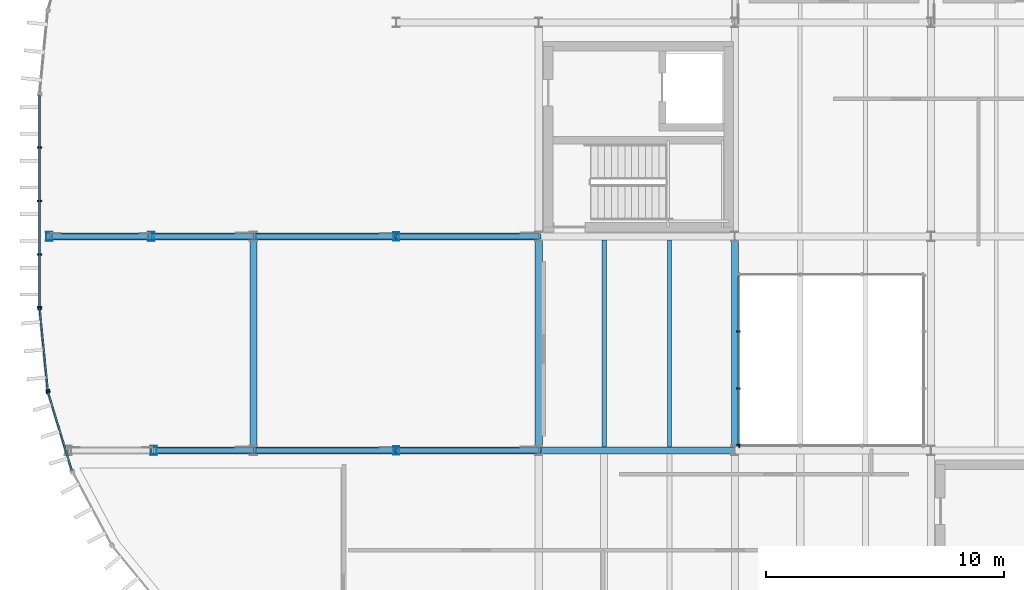
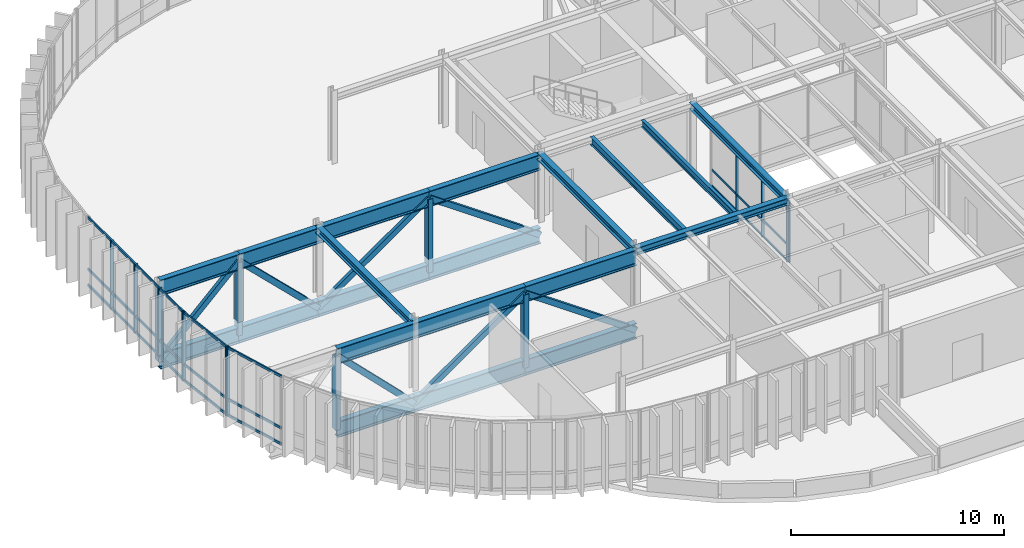
# One storey, part 6 of 29: 35 members, 20 beams, 5 elements without a shape of their own.
"""IFC4 building model written with IfcOpenShell, lengths in metres."""

from ifc_helpers import new_model, si_unit, direction, frame, origin, origin_2d, place, context, subcontext, project, spatial, rectangle, hollow_rectangle, i_section, extrude, material, layer, layer_set, material_profile, profile_set, type_object, element, aggregate, save


model = new_model("IFC4")

# Units and contexts
model_context = context("Model", 3, precision=1e-05, world=origin(), true_north=direction((0.0, 1.0)))
body_context = subcontext(model_context, "Body", "Model", "MODEL_VIEW")
ifc_project = project(units=[si_unit("LENGTHUNIT", "METRE"), si_unit("AREAUNIT", "SQUARE_METRE"), si_unit("VOLUMEUNIT", "CUBIC_METRE"), si_unit("PLANEANGLEUNIT", "RADIAN"), si_unit("MASSUNIT", "GRAM", prefix="KILO")], contexts=[model_context])

# Site, building, storey
site_placement = place(None, origin())
site = spatial("IfcSite", under=ifc_project, at=site_placement, CompositionType="ELEMENT")
building_placement = place(site_placement, origin())
building = spatial("IfcBuilding", under=site, at=building_placement, Name="Montealbar Specialist Clinic", CompositionType="ELEMENT")
storey_placement = place(building_placement, frame((0.0, 0.0, 22.199951171875)))
storey = spatial("IfcBuildingStorey", under=building, at=storey_placement, Name="L05", CompositionType="ELEMENT", Elevation=22.199951171875)

# Beams
ifc_material_1 = material(Name="Steel S355", Category="steel")
ifc_material_profile_1 = material_profile(ifc_material_1, i_section(OverallWidth=0.300048828125, OverallDepth=0.39990234375, WebThickness=0.013427734375, FlangeThickness=0.02392578125, FilletRadius=0.027099609375, at=origin_2d()), Name="HEB 400", Category="steel")
ifc_profile_set_1 = profile_set([ifc_material_profile_1], Name="Steel S355")
beam_type_1 = type_object("IfcBeamType", Name="BM-GIRD-HEB400", PredefinedType="BEAM", material=ifc_profile_set_1)
beam_1_placement = place(storey_placement, frame((66.0, 18.0, 3.739990234375), z_axis=(1.0, 0.0, 0.0), x_axis=(0.0, 1.0, 0.0)))
element("IfcBeam", 1, at=beam_1_placement, inside=storey, type_object=beam_type_1, Name="Beam GX-L05-660-742-180", PredefinedType="BEAM", context=body_context, shape_type="SweptSolid", body=[
    extrude(i_section(OverallWidth=0.300048828125, OverallDepth=0.39990234375, WebThickness=0.013427734375, FlangeThickness=0.02392578125, FilletRadius=0.027099609375, at=origin_2d()), origin(), (0.0, 0.0, 1.0), 8.25),
])
for number, where, z_axis, x_axis, name in (
    (2, (54.0, 18.0, 3.739990234375), (0.0, 1.0, 0.0), (-1.0, 0.0, 0.0), "Beam GY-L05-540-180-270"),
    (3, (66.0, 18.0, 3.739990234375), (0.0, 1.0, 0.0), (-1.0, 0.0, 0.0), "Beam GY-L05-660-180-270"),
    (4, (74.25, 18.0, 3.72998046875), (0.0, 1.0, 0.0), (-1.0, 0.0, 0.0), "Beam GY-L05-742-180-270"),
):
    element("IfcBeam", number, at=place(storey_placement, frame(where, z_axis=z_axis, x_axis=x_axis)), inside=storey, type_object=beam_type_1, Name=name, PredefinedType="BEAM", context=body_context, shape_type="SweptSolid", body=[
        extrude(i_section(OverallWidth=0.300048828125, OverallDepth=0.39990234375, WebThickness=0.013427734375, FlangeThickness=0.02392578125, FilletRadius=0.027099609375, at=origin_2d()), origin(), (0.0, 0.0, 1.0), 9.0),
    ])
ifc_material_profile_2 = material_profile(ifc_material_1, i_section(OverallWidth=0.179931640625, OverallDepth=0.39990234375, WebThickness=0.008544921875, FlangeThickness=0.013427734375, FilletRadius=0.02099609375, at=origin_2d()), Name="IPE 400", Category="steel")
ifc_profile_set_2 = profile_set([ifc_material_profile_2], Name="Steel S355")
beam_type_2 = type_object("IfcBeamType", Name="BM-SEC-IPE400", PredefinedType="BEAM", material=ifc_profile_set_2)
beam_2_placement = place(storey_placement, frame((71.5, 18.14990234375, 3.739990234375), z_axis=(0.0, 1.0, 0.0), x_axis=(-1.0, 0.0, 0.0)))
element("IfcBeam", 5, at=beam_2_placement, inside=storey, type_object=beam_type_2, Name="Beam JST-L05-715-182-268", PredefinedType="BEAM", context=body_context, shape_type="SweptSolid", body=[
    extrude(i_section(OverallWidth=0.179931640625, OverallDepth=0.39990234375, WebThickness=0.008544921875, FlangeThickness=0.013427734375, FilletRadius=0.02099609375, at=origin_2d()), origin(), (0.0, 0.0, 1.0), 8.7001953125),
])
ifc_material_profile_3 = material_profile(ifc_material_1, i_section(OverallWidth=0.18994140625, OverallDepth=0.449951171875, WebThickness=0.009521484375, FlangeThickness=0.0146484375, FilletRadius=0.02099609375, at=origin_2d()), Name="IPE 450", Category="steel")
ifc_profile_set_3 = profile_set([ifc_material_profile_3], Name="Steel S355")
beam_type_3 = type_object("IfcBeamType", Name="BM-SEC-IPE450", PredefinedType="BEAM", material=ifc_profile_set_3)
beam_3_placement = place(storey_placement, frame((68.75, 18.14990234375, 3.715087890625), z_axis=(0.0, 1.0, 0.0), x_axis=(-1.0, 0.0, 0.0)))
element("IfcBeam", 6, at=beam_3_placement, inside=storey, type_object=beam_type_3, Name="Beam JST-L05-688-182-268", PredefinedType="BEAM", context=body_context, shape_type="SweptSolid", body=[
    extrude(i_section(OverallWidth=0.18994140625, OverallDepth=0.449951171875, WebThickness=0.009521484375, FlangeThickness=0.0146484375, FilletRadius=0.02099609375, at=origin_2d()), origin(), (0.0, 0.0, 1.0), 8.7001953125),
])
ifc_material_profile_4 = material_profile(ifc_material_1, i_section(OverallWidth=0.300048828125, OverallDepth=0.89990234375, WebThickness=0.0185546875, FlangeThickness=0.034912109375, FilletRadius=0.030029296875, at=origin_2d()), Name="HEB 900", Category="steel")
ifc_profile_set_4 = profile_set([ifc_material_profile_4], Name="Steel S355")
beam_type_4 = type_object("IfcBeamType", Name="BM-XFER-HEB900", PredefinedType="BEAM", material=ifc_profile_set_4)
for number, where, z_axis, x_axis, name in (
    (7, (66.0, 27.0, -0.7900390625), (-1.0, 0.0, 0.0), (0.0, -1.0, 0.0), "Transfer truss TT-W1 bottom chord 1"),
    (8, (66.0, 27.0, 3.41015625), (-1.0, 0.0, 0.0), (0.0, -1.0, 0.0), "Transfer truss TT-W1 top chord 1"),
    (9, (60.0, 27.0, -0.7900390625), (-1.0, 0.0, 0.0), (0.0, -1.0, 0.0), "Transfer truss TT-W1 bottom chord 2"),
    (10, (60.0, 27.0, 3.41015625), (-1.0, 0.0, 0.0), (0.0, -1.0, 0.0), "Transfer truss TT-W1 top chord 2"),
):
    element("IfcBeam", number, at=place(storey_placement, frame(where, z_axis=z_axis, x_axis=x_axis)), inside=storey, type_object=beam_type_4, Name=name, PredefinedType="BEAM", context=body_context, shape_type="SweptSolid", body=[
        extrude(i_section(OverallWidth=0.300048828125, OverallDepth=0.89990234375, WebThickness=0.0185546875, FlangeThickness=0.034912109375, FilletRadius=0.030029296875, at=origin_2d()), origin(), (0.0, 0.0, 1.0), 6.0),
    ])
for number, where, z_axis, x_axis, name in (
    (11, (54.0, 27.0, -0.7900390625), (-1.0, 0.0, 0.0), (0.0, -1.0, 0.0), "Transfer truss TT-W1 bottom chord 3"),
    (12, (54.0, 27.0, 3.41015625), (-1.0, 0.0, 0.0), (0.0, -1.0, 0.0), "Transfer truss TT-W1 top chord 3"),
    (13, (49.699951171875, 27.0, -0.7900390625), (-1.0, 0.0, 0.0), (0.0, -1.0, 0.0), "Transfer truss TT-W1 bottom chord 4"),
    (14, (49.699951171875, 27.0, 3.41015625), (-1.0, 0.0, 0.0), (0.0, -1.0, 0.0), "Transfer truss TT-W1 top chord 4"),
):
    element("IfcBeam", number, at=place(storey_placement, frame(where, z_axis=z_axis, x_axis=x_axis)), inside=storey, type_object=beam_type_4, Name=name, PredefinedType="BEAM", context=body_context, shape_type="SweptSolid", body=[
        extrude(i_section(OverallWidth=0.300048828125, OverallDepth=0.89990234375, WebThickness=0.0185546875, FlangeThickness=0.034912109375, FilletRadius=0.030029296875, at=origin_2d()), origin(), (0.0, 0.0, 1.0), 4.300048828125),
    ])
for number, where, z_axis, x_axis, name in (
    (15, (66.0, 18.0, -0.7900390625), (-1.0, 0.0, 0.0), (0.0, -1.0, 0.0), "Transfer truss TT-W2 bottom chord 1"),
    (16, (66.0, 18.0, 3.41015625), (-1.0, 0.0, 0.0), (0.0, -1.0, 0.0), "Transfer truss TT-W2 top chord 1"),
    (17, (60.0, 18.0, -0.7900390625), (-1.0, 0.0, 0.0), (0.0, -1.0, 0.0), "Transfer truss TT-W2 bottom chord 2"),
    (18, (60.0, 18.0, 3.41015625), (-1.0, 0.0, 0.0), (0.0, -1.0, 0.0), "Transfer truss TT-W2 top chord 2"),
):
    element("IfcBeam", number, at=place(storey_placement, frame(where, z_axis=z_axis, x_axis=x_axis)), inside=storey, type_object=beam_type_4, Name=name, PredefinedType="BEAM", context=body_context, shape_type="SweptSolid", body=[
        extrude(i_section(OverallWidth=0.300048828125, OverallDepth=0.89990234375, WebThickness=0.0185546875, FlangeThickness=0.034912109375, FilletRadius=0.030029296875, at=origin_2d()), origin(), (0.0, 0.0, 1.0), 6.0),
    ])
for number, where, z_axis, x_axis, name in (
    (19, (54.0, 18.0, -0.7900390625), (-1.0, 0.0, 0.0), (0.0, -1.0, 0.0), "Transfer truss TT-W2 bottom chord 3"),
    (20, (54.0, 18.0, 3.41015625), (-1.0, 0.0, 0.0), (0.0, -1.0, 0.0), "Transfer truss TT-W2 top chord 3"),
):
    element("IfcBeam", number, at=place(storey_placement, frame(where, z_axis=z_axis, x_axis=x_axis)), inside=storey, type_object=beam_type_4, Name=name, PredefinedType="BEAM", context=body_context, shape_type="SweptSolid", body=[
        extrude(i_section(OverallWidth=0.300048828125, OverallDepth=0.89990234375, WebThickness=0.0185546875, FlangeThickness=0.034912109375, FilletRadius=0.030029296875, at=origin_2d()), origin(), (0.0, 0.0, 1.0), 4.199951171875),
    ])

# Curtain wall, member
ifc_material_2 = material(Name="Low-E double glazing", Category="glass")
ifc_layer_1 = layer(ifc_material_2, 0.199951171875, Name="Low-E double glazing", Category="glass")
ifc_layer_set_1 = layer_set([ifc_layer_1], Name="Low-E double glazing")
curtain_wall_type_1 = type_object("IfcCurtainWallType", Name="CW-TYPE-26", PredefinedType="NOTDEFINED", material=ifc_layer_set_1)
curtain_wall_1_placement = place(storey_placement, origin())
curtain_wall_1 = element("IfcCurtainWall", 21, at=curtain_wall_1_placement, inside=storey, type_object=curtain_wall_type_1, Name="Unitised Curtain Wall CW-L05-744-182-822-182-222", PredefinedType="NOTDEFINED")
ifc_material_3 = material(Name="Anodised aluminium EN AW-6063", Category="aluminium")
ifc_material_profile_5 = material_profile(ifc_material_3, rectangle(XDim=0.06005859375, YDim=0.159912109375, at=origin_2d()), Name="ALU 60x160", Category="aluminium")
ifc_profile_set_5 = profile_set([ifc_material_profile_5], Name="Anodised aluminium EN AW-6063")
member_type_1 = type_object("IfcMemberType", Name="CW-MUL-160", PredefinedType="MULLION", material=ifc_profile_set_5)
member_1_placement = place(storey_placement, frame((74.43505859375, 18.199951171875, 0.0), z_axis=(0.0, 0.0, 1.0), x_axis=(1.0, 0.0, 0.0)))
member_1 = element("IfcMember", 22, at=member_1_placement, type_object=member_type_1, Name="Curtain Wall Mullion CW-L05-744-182-822-182-222-00", PredefinedType="MULLION", context=body_context, shape_type="SweptSolid", body=[
    extrude(rectangle(XDim=0.06005859375, YDim=0.159912109375, at=origin_2d()), origin(), (0.0, 0.0, 1.0), 3.5400390625),
])
aggregate(curtain_wall_1, [member_1])

# Curtain wall, members
ifc_layer_2 = layer(ifc_material_2, 0.199951171875, Name="Low-E double glazing", Category="glass")
ifc_layer_set_2 = layer_set([ifc_layer_2], Name="Low-E double glazing")
curtain_wall_type_2 = type_object("IfcCurtainWallType", Name="CW-TYPE-41", PredefinedType="NOTDEFINED", material=ifc_layer_set_2)
curtain_wall_2_placement = place(storey_placement, origin())
curtain_wall_2 = element("IfcCurtainWall", 23, at=curtain_wall_2_placement, inside=storey, type_object=curtain_wall_type_2, Name="Unitised Curtain Wall CW-L05-744-254-744-182-222", PredefinedType="NOTDEFINED")
member_2_placement = place(storey_placement, frame((74.39990234375, 23.0, 0.0), z_axis=(0.0, 0.0, 1.0), x_axis=(0.0, -1.0, 0.0)))
member_2 = element("IfcMember", 24, at=member_2_placement, type_object=member_type_1, Name="Curtain Wall Mullion CW-L05-744-254-744-182-222-01", PredefinedType="MULLION", context=body_context, shape_type="SweptSolid", body=[
    extrude(rectangle(XDim=0.06005859375, YDim=0.159912109375, at=origin_2d()), origin(), (0.0, 0.0, 1.0), 3.530029296875),
])
member_3_placement = place(storey_placement, frame((74.39990234375, 20.60009765625, 0.0), z_axis=(0.0, 0.0, 1.0), x_axis=(0.0, -1.0, 0.0)))
member_3 = element("IfcMember", 25, at=member_3_placement, type_object=member_type_1, Name="Curtain Wall Mullion CW-L05-744-254-744-182-222-02", PredefinedType="MULLION", context=body_context, shape_type="SweptSolid", body=[
    extrude(rectangle(XDim=0.06005859375, YDim=0.159912109375, at=origin_2d()), origin(), (0.0, 0.0, 1.0), 3.530029296875),
])
member_4_placement = place(storey_placement, frame((74.39990234375, 18.235107421875, 0.0), z_axis=(0.0, 0.0, 1.0), x_axis=(0.0, -1.0, 0.0)))
member_4 = element("IfcMember", 26, at=member_4_placement, type_object=member_type_1, Name="Curtain Wall Mullion CW-L05-744-254-744-182-222-03", PredefinedType="MULLION", context=body_context, shape_type="SweptSolid", body=[
    extrude(rectangle(XDim=0.06005859375, YDim=0.159912109375, at=origin_2d()), origin(), (0.0, 0.0, 1.0), 3.530029296875),
])

ifc_layer_3 = layer(ifc_material_2, 0.199951171875, Name="Low-E double glazing", Category="glass")
ifc_layer_set_3 = layer_set([ifc_layer_3], Name="Low-E double glazing")
curtain_wall_type_3 = type_object("IfcCurtainWallType", Name="CW-TYPE-37", PredefinedType="NOTDEFINED", material=ifc_layer_set_3)
curtain_wall_3_placement = place(storey_placement, origin())
curtain_wall_3 = element("IfcCurtainWall", 27, at=curtain_wall_3_placement, inside=storey, type_object=curtain_wall_type_3, Name="Unitised Curtain Wall CW-L05-450-240-450-330-222", PredefinedType="NOTDEFINED")
ifc_material_profile_6 = material_profile(ifc_material_3, rectangle(XDim=0.070068359375, YDim=0.179931640625, at=origin_2d()), Name="ALU 70x180", Category="aluminium")
ifc_profile_set_6 = profile_set([ifc_material_profile_6], Name="Anodised aluminium EN AW-6063")
member_type_2 = type_object("IfcMemberType", Name="CW-MUL-200", PredefinedType="MULLION", material=ifc_profile_set_6)
member_5_placement = place(storey_placement, frame((45.0, 24.0400390625, 0.0), z_axis=(0.0, 0.0, 1.0), x_axis=(0.0, 1.0, 0.0)))
member_5 = element("IfcMember", 28, at=member_5_placement, type_object=member_type_2, Name="Curtain Wall Mullion CW-L05-450-240-450-330-222-00", PredefinedType="MULLION", context=body_context, shape_type="SweptSolid", body=[
    extrude(rectangle(XDim=0.070068359375, YDim=0.179931640625, at=origin_2d()), origin(), (0.0, 0.0, 1.0), 3.93994140625),
])
member_6_placement = place(storey_placement, frame((45.0, 26.25, 0.0), z_axis=(0.0, 0.0, 1.0), x_axis=(0.0, 1.0, 0.0)))
member_6 = element("IfcMember", 29, at=member_6_placement, type_object=member_type_2, Name="Curtain Wall Mullion CW-L05-450-240-450-330-222-01", PredefinedType="MULLION", context=body_context, shape_type="SweptSolid", body=[
    extrude(rectangle(XDim=0.070068359375, YDim=0.179931640625, at=origin_2d()), origin(), (0.0, 0.0, 1.0), 3.93994140625),
])
member_7_placement = place(storey_placement, frame((45.0, 28.5, 0.0), z_axis=(0.0, 0.0, 1.0), x_axis=(0.0, 1.0, 0.0)))
member_7 = element("IfcMember", 30, at=member_7_placement, type_object=member_type_2, Name="Curtain Wall Mullion CW-L05-450-240-450-330-222-02", PredefinedType="MULLION", context=body_context, shape_type="SweptSolid", body=[
    extrude(rectangle(XDim=0.070068359375, YDim=0.179931640625, at=origin_2d()), origin(), (0.0, 0.0, 1.0), 3.93994140625),
])
member_8_placement = place(storey_placement, frame((45.0, 30.75, 0.0), z_axis=(0.0, 0.0, 1.0), x_axis=(0.0, 1.0, 0.0)))
member_8 = element("IfcMember", 31, at=member_8_placement, type_object=member_type_2, Name="Curtain Wall Mullion CW-L05-450-240-450-330-222-03", PredefinedType="MULLION", context=body_context, shape_type="SweptSolid", body=[
    extrude(rectangle(XDim=0.070068359375, YDim=0.179931640625, at=origin_2d()), origin(), (0.0, 0.0, 1.0), 3.93994140625),
])

# Curtain wall, member
ifc_layer_4 = layer(ifc_material_2, 0.199951171875, Name="Low-E double glazing", Category="glass")
ifc_layer_set_4 = layer_set([ifc_layer_4], Name="Low-E double glazing")
curtain_wall_type_4 = type_object("IfcCurtainWallType", Name="CW-TYPE-19", PredefinedType="NOTDEFINED", material=ifc_layer_set_4)
curtain_wall_4_placement = place(storey_placement, origin())
curtain_wall_4 = element("IfcCurtainWall", 32, at=curtain_wall_4_placement, inside=storey, type_object=curtain_wall_type_4, Name="Unitised Curtain Wall CW-L05-464-171-453-205-222", PredefinedType="NOTDEFINED")
member_9_placement = place(storey_placement, frame((45.35791015625, 20.449951171875, 0.0), z_axis=(0.0, 0.0, 1.0), x_axis=(-0.290259134399, 0.956948083701, 0.0)))
member_9 = element("IfcMember", 33, at=member_9_placement, type_object=member_type_2, Name="Curtain Wall Mullion CW-L05-464-171-453-205-222-01", PredefinedType="MULLION", context=body_context, shape_type="SweptSolid", body=[
    extrude(rectangle(XDim=0.070068359375, YDim=0.179931640625, at=origin_2d()), origin(), (0.0, 0.0, 1.0), 3.93994140625),
])

# Curtain wall, members
curtain_wall_5_placement = place(storey_placement, origin())
curtain_wall_5 = element("IfcCurtainWall", 34, at=curtain_wall_5_placement, inside=storey, type_object=curtain_wall_type_4, Name="Unitised Curtain Wall CW-L05-453-205-450-240-222", PredefinedType="NOTDEFINED")
member_10_placement = place(storey_placement, frame((45.342041015625, 20.528076171875, 0.0), z_axis=(0.0, 0.0, 1.0), x_axis=(-0.098044697094, 0.995182012183, 0.0)))
member_10 = element("IfcMember", 35, at=member_10_placement, type_object=member_type_2, Name="Curtain Wall Mullion CW-L05-453-205-450-240-222-00", PredefinedType="MULLION", context=body_context, shape_type="SweptSolid", body=[
    extrude(rectangle(XDim=0.070068359375, YDim=0.179931640625, at=origin_2d()), origin(), (0.0, 0.0, 1.0), 3.93994140625),
])
member_11_placement = place(storey_placement, frame((45.00390625, 23.9599609375, 0.0), z_axis=(0.0, 0.0, 1.0), x_axis=(-0.098044697094, 0.995182012183, 0.0)))
member_11 = element("IfcMember", 36, at=member_11_placement, type_object=member_type_2, Name="Curtain Wall Mullion CW-L05-453-205-450-240-222-01", PredefinedType="MULLION", context=body_context, shape_type="SweptSolid", body=[
    extrude(rectangle(XDim=0.070068359375, YDim=0.179931640625, at=origin_2d()), origin(), (0.0, 0.0, 1.0), 3.93994140625),
])

# Member
ifc_material_4 = material(Name="Powder-coated aluminium", Category="aluminium")
ifc_material_profile_7 = material_profile(ifc_material_4, rectangle(XDim=0.06005859375, YDim=0.1201171875, at=origin_2d()), Name="ALU 60x120", Category="aluminium")
ifc_profile_set_7 = profile_set([ifc_material_profile_7], Name="Powder-coated aluminium")
member_type_3 = type_object("IfcMemberType", Name="CW-TRN-120", PredefinedType="USERDEFINED", material=ifc_profile_set_7)
member_12_placement = place(storey_placement, frame((74.39990234375, 25.35009765625, 0.0400390625), z_axis=(0.0, -1.0, 0.0), x_axis=(1.0, 0.0, 0.0)))
member_12 = element("IfcMember", 37, at=member_12_placement, type_object=member_type_3, Name="Curtain Wall Transom CW-L05-744-254-744-182-222-00", ObjectType="TRANSOM", PredefinedType="USERDEFINED", context=body_context, shape_type="SweptSolid", body=[
    extrude(rectangle(XDim=0.06005859375, YDim=0.1201171875, at=origin_2d()), origin(), (0.0, 0.0, 1.0), 7.10009765625),
])

member_13_placement = place(storey_placement, frame((74.39990234375, 25.35009765625, 0.949951171875), z_axis=(0.0, -1.0, 0.0), x_axis=(1.0, 0.0, 0.0)))
member_13 = element("IfcMember", 38, at=member_13_placement, type_object=member_type_3, Name="Curtain Wall Transom CW-L05-744-254-744-182-222-01", ObjectType="TRANSOM", PredefinedType="USERDEFINED", context=body_context, shape_type="SweptSolid", body=[
    extrude(rectangle(XDim=0.06005859375, YDim=0.1201171875, at=origin_2d()), origin(), (0.0, 0.0, 1.0), 7.10009765625),
])

member_14_placement = place(storey_placement, frame((74.39990234375, 25.35009765625, 3.489990234375), z_axis=(0.0, -1.0, 0.0), x_axis=(1.0, 0.0, 0.0)))
member_14 = element("IfcMember", 39, at=member_14_placement, type_object=member_type_3, Name="Curtain Wall Transom CW-L05-744-254-744-182-222-02", ObjectType="TRANSOM", PredefinedType="USERDEFINED", context=body_context, shape_type="SweptSolid", body=[
    extrude(rectangle(XDim=0.06005859375, YDim=0.1201171875, at=origin_2d()), origin(), (0.0, 0.0, 1.0), 7.10009765625),
])

aggregate(curtain_wall_2, [member_2, member_3, member_4, member_12, member_13, member_14])

ifc_material_profile_8 = material_profile(ifc_material_4, rectangle(XDim=0.070068359375, YDim=0.139892578125, at=origin_2d()), Name="ALU 70x140", Category="aluminium")
ifc_profile_set_8 = profile_set([ifc_material_profile_8], Name="Powder-coated aluminium")
member_type_4 = type_object("IfcMemberType", Name="CW-TRN-140", PredefinedType="USERDEFINED", material=ifc_profile_set_8)
member_15_placement = place(storey_placement, frame((45.0, 24.050048828125, 0.0400390625), z_axis=(0.0, 1.0, 0.0), x_axis=(-1.0, 0.0, 0.0)))
member_15 = element("IfcMember", 40, at=member_15_placement, type_object=member_type_4, Name="Curtain Wall Transom CW-L05-450-240-450-330-222-00", ObjectType="TRANSOM", PredefinedType="USERDEFINED", context=body_context, shape_type="SweptSolid", body=[
    extrude(rectangle(XDim=0.070068359375, YDim=0.139892578125, at=origin_2d()), origin(), (0.0, 0.0, 1.0), 8.89990234375),
])

member_16_placement = place(storey_placement, frame((45.0, 24.050048828125, 0.949951171875), z_axis=(0.0, 1.0, 0.0), x_axis=(-1.0, 0.0, 0.0)))
member_16 = element("IfcMember", 41, at=member_16_placement, type_object=member_type_4, Name="Curtain Wall Transom CW-L05-450-240-450-330-222-01", ObjectType="TRANSOM", PredefinedType="USERDEFINED", context=body_context, shape_type="SweptSolid", body=[
    extrude(rectangle(XDim=0.070068359375, YDim=0.139892578125, at=origin_2d()), origin(), (0.0, 0.0, 1.0), 8.89990234375),
])

member_17_placement = place(storey_placement, frame((45.0, 24.050048828125, 3.900146484375), z_axis=(0.0, 1.0, 0.0), x_axis=(-1.0, 0.0, 0.0)))
member_17 = element("IfcMember", 42, at=member_17_placement, type_object=member_type_4, Name="Curtain Wall Transom CW-L05-450-240-450-330-222-02", ObjectType="TRANSOM", PredefinedType="USERDEFINED", context=body_context, shape_type="SweptSolid", body=[
    extrude(rectangle(XDim=0.070068359375, YDim=0.139892578125, at=origin_2d()), origin(), (0.0, 0.0, 1.0), 8.89990234375),
])

aggregate(curtain_wall_3, [member_5, member_6, member_7, member_8, member_15, member_16, member_17])

member_18_placement = place(storey_placement, frame((46.35498046875, 17.159912109375, 0.0400390625), z_axis=(-0.289993555849, 0.957028598092, 0.0), x_axis=(-0.957028598092, -0.289993555849, 0.0)))
member_18 = element("IfcMember", 43, at=member_18_placement, type_object=member_type_4, Name="Curtain Wall Transom CW-L05-464-171-453-205-222-00", ObjectType="TRANSOM", PredefinedType="USERDEFINED", context=body_context, shape_type="SweptSolid", body=[
    extrude(rectangle(XDim=0.070068359375, YDim=0.139892578125, at=origin_2d()), origin(), (0.0, 0.0, 1.0), 3.42724609375),
])

member_19_placement = place(storey_placement, frame((46.35498046875, 17.159912109375, 0.949951171875), z_axis=(-0.289993555849, 0.957028598092, 0.0), x_axis=(-0.957028598092, -0.289993555849, 0.0)))
member_19 = element("IfcMember", 44, at=member_19_placement, type_object=member_type_4, Name="Curtain Wall Transom CW-L05-464-171-453-205-222-01", ObjectType="TRANSOM", PredefinedType="USERDEFINED", context=body_context, shape_type="SweptSolid", body=[
    extrude(rectangle(XDim=0.070068359375, YDim=0.139892578125, at=origin_2d()), origin(), (0.0, 0.0, 1.0), 3.42724609375),
])

member_20_placement = place(storey_placement, frame((46.35498046875, 17.159912109375, 3.900146484375), z_axis=(-0.289993555849, 0.957028598092, 0.0), x_axis=(-0.957028598092, -0.289993555849, 0.0)))
member_20 = element("IfcMember", 45, at=member_20_placement, type_object=member_type_4, Name="Curtain Wall Transom CW-L05-464-171-453-205-222-02", ObjectType="TRANSOM", PredefinedType="USERDEFINED", context=body_context, shape_type="SweptSolid", body=[
    extrude(rectangle(XDim=0.070068359375, YDim=0.139892578125, at=origin_2d()), origin(), (0.0, 0.0, 1.0), 3.42724609375),
])

aggregate(curtain_wall_4, [member_9, member_18, member_19, member_20])

member_21_placement = place(storey_placement, frame((45.341064453125, 20.5380859375, 0.0400390625), z_axis=(-0.098058232162, 0.995180678623, 0.0), x_axis=(-0.995180678623, -0.098058232162, 0.0)))
member_21 = element("IfcMember", 46, at=member_21_placement, type_object=member_type_4, Name="Curtain Wall Transom CW-L05-453-205-450-240-222-00", ObjectType="TRANSOM", PredefinedType="USERDEFINED", context=body_context, shape_type="SweptSolid", body=[
    extrude(rectangle(XDim=0.070068359375, YDim=0.139892578125, at=origin_2d()), origin(), (0.0, 0.0, 1.0), 3.428466796875),
])

member_22_placement = place(storey_placement, frame((45.341064453125, 20.5380859375, 0.949951171875), z_axis=(-0.098058232162, 0.995180678623, 0.0), x_axis=(-0.995180678623, -0.098058232162, 0.0)))
member_22 = element("IfcMember", 47, at=member_22_placement, type_object=member_type_4, Name="Curtain Wall Transom CW-L05-453-205-450-240-222-01", ObjectType="TRANSOM", PredefinedType="USERDEFINED", context=body_context, shape_type="SweptSolid", body=[
    extrude(rectangle(XDim=0.070068359375, YDim=0.139892578125, at=origin_2d()), origin(), (0.0, 0.0, 1.0), 3.428466796875),
])

member_23_placement = place(storey_placement, frame((45.341064453125, 20.5380859375, 3.900146484375), z_axis=(-0.098058232162, 0.995180678623, 0.0), x_axis=(-0.995180678623, -0.098058232162, 0.0)))
member_23 = element("IfcMember", 48, at=member_23_placement, type_object=member_type_4, Name="Curtain Wall Transom CW-L05-453-205-450-240-222-02", ObjectType="TRANSOM", PredefinedType="USERDEFINED", context=body_context, shape_type="SweptSolid", body=[
    extrude(rectangle(XDim=0.070068359375, YDim=0.139892578125, at=origin_2d()), origin(), (0.0, 0.0, 1.0), 3.428466796875),
])

aggregate(curtain_wall_5, [member_10, member_11, member_21, member_22, member_23])

# Members
ifc_material_profile_9 = material_profile(ifc_material_1, hollow_rectangle(XDim=0.199951171875, YDim=0.300048828125, WallThickness=0.012451171875, at=origin_2d()), Name="RHS 300x200x12.5", Category="steel")
ifc_profile_set_9 = profile_set([ifc_material_profile_9], Name="Steel S355")
member_type_5 = type_object("IfcMemberType", Name="MB-TRUSS-DIAG", PredefinedType="BRACE", material=ifc_profile_set_9)
for number, where, z_axis, x_axis, name in (
    (49, (66.0, 27.0, -0.7900390625), (-0.819219392063, 0.0, 0.573480241742), (0.0, -1.0, 0.0), "Transfer truss TT-W1 web diagonal 1"),
    (50, (60.0, 27.0, 3.41015625), (-0.819219392063, 0.0, -0.573480241742), (0.0, -1.0, 0.0), "Transfer truss TT-W1 web diagonal 2"),
):
    element("IfcMember", number, at=place(storey_placement, frame(where, z_axis=z_axis, x_axis=x_axis)), inside=storey, type_object=member_type_5, Name=name, PredefinedType="BRACE", context=body_context, shape_type="SweptSolid", body=[
        extrude(hollow_rectangle(XDim=0.199951171875, YDim=0.300048828125, WallThickness=0.012451171875, at=origin_2d()), origin(), (0.0, 0.0, 1.0), 7.323974609375),
    ])
for number, where, z_axis, x_axis, name in (
    (51, (54.0, 27.0, -0.7900390625), (-0.715363903336, 0.0, 0.698752091807), (0.0, -1.0, 0.0), "Transfer truss TT-W1 web diagonal 3"),
    (52, (49.699951171875, 27.0, 3.41015625), (-0.715363903336, 0.0, -0.698752091807), (0.0, -1.0, 0.0), "Transfer truss TT-W1 web diagonal 4"),
):
    element("IfcMember", number, at=place(storey_placement, frame(where, z_axis=z_axis, x_axis=x_axis)), inside=storey, type_object=member_type_5, Name=name, PredefinedType="BRACE", context=body_context, shape_type="SweptSolid", body=[
        extrude(hollow_rectangle(XDim=0.199951171875, YDim=0.300048828125, WallThickness=0.012451171875, at=origin_2d()), origin(), (0.0, 0.0, 1.0), 6.010986328125),
    ])
for number, where, z_axis, x_axis, name in (
    (53, (66.0, 18.0, -0.7900390625), (-0.819219392063, 0.0, 0.573480241742), (0.0, -1.0, 0.0), "Transfer truss TT-W2 web diagonal 1"),
    (54, (60.0, 18.0, 3.41015625), (-0.819219392063, 0.0, -0.573480241742), (0.0, -1.0, 0.0), "Transfer truss TT-W2 web diagonal 2"),
):
    element("IfcMember", number, at=place(storey_placement, frame(where, z_axis=z_axis, x_axis=x_axis)), inside=storey, type_object=member_type_5, Name=name, PredefinedType="BRACE", context=body_context, shape_type="SweptSolid", body=[
        extrude(hollow_rectangle(XDim=0.199951171875, YDim=0.300048828125, WallThickness=0.012451171875, at=origin_2d()), origin(), (0.0, 0.0, 1.0), 7.323974609375),
    ])
member_24_placement = place(storey_placement, frame((54.0, 18.0, -0.7900390625), z_axis=(-0.70708622964, 0.0, 0.707127332136), x_axis=(0.0, -1.0, 0.0)))
element("IfcMember", 55, at=member_24_placement, inside=storey, type_object=member_type_5, Name="Transfer truss TT-W2 web diagonal 3", PredefinedType="BRACE", context=body_context, shape_type="SweptSolid", body=[
    extrude(hollow_rectangle(XDim=0.199951171875, YDim=0.300048828125, WallThickness=0.012451171875, at=origin_2d()), origin(), (0.0, 0.0, 1.0), 5.939697265625),
])
ifc_material_profile_10 = material_profile(ifc_material_1, hollow_rectangle(XDim=0.25, YDim=0.35009765625, WallThickness=0.012451171875, at=origin_2d()), Name="RHS 350x250x12.5", Category="steel")
ifc_profile_set_10 = profile_set([ifc_material_profile_10], Name="Steel S355")
member_type_6 = type_object("IfcMemberType", Name="MB-TRUSS-POST", PredefinedType="BRACE", material=ifc_profile_set_10)
for number, where, z_axis, x_axis, name in (
    (56, (60.0, 27.0, -0.7900390625), (0.0, 0.0, 1.0), (1.0, 0.0, 0.0), "Transfer truss TT-W1 vertical post 1"),
    (57, (49.699951171875, 27.0, -0.7900390625), (0.0, 0.0, 1.0), (1.0, 0.0, 0.0), "Transfer truss TT-W1 vertical post 3"),
    (58, (45.39990234375, 27.0, -0.7900390625), (0.0, 0.0, 1.0), (1.0, 0.0, 0.0), "Transfer truss TT-W1 vertical post 4"),
    (59, (60.0, 18.0, -0.7900390625), (0.0, 0.0, 1.0), (1.0, 0.0, 0.0), "Transfer truss TT-W2 vertical post 1"),
    (60, (49.800048828125, 18.0, -0.7900390625), (0.0, 0.0, 1.0), (1.0, 0.0, 0.0), "Transfer truss TT-W2 vertical post 3"),
):
    element("IfcMember", number, at=place(storey_placement, frame(where, z_axis=z_axis, x_axis=x_axis)), inside=storey, type_object=member_type_6, Name=name, PredefinedType="BRACE", context=body_context, shape_type="SweptSolid", body=[
        extrude(hollow_rectangle(XDim=0.25, YDim=0.35009765625, WallThickness=0.012451171875, at=origin_2d()), origin(), (0.0, 0.0, 1.0), 4.2001953125),
    ])

save(model, "model.ifc")
